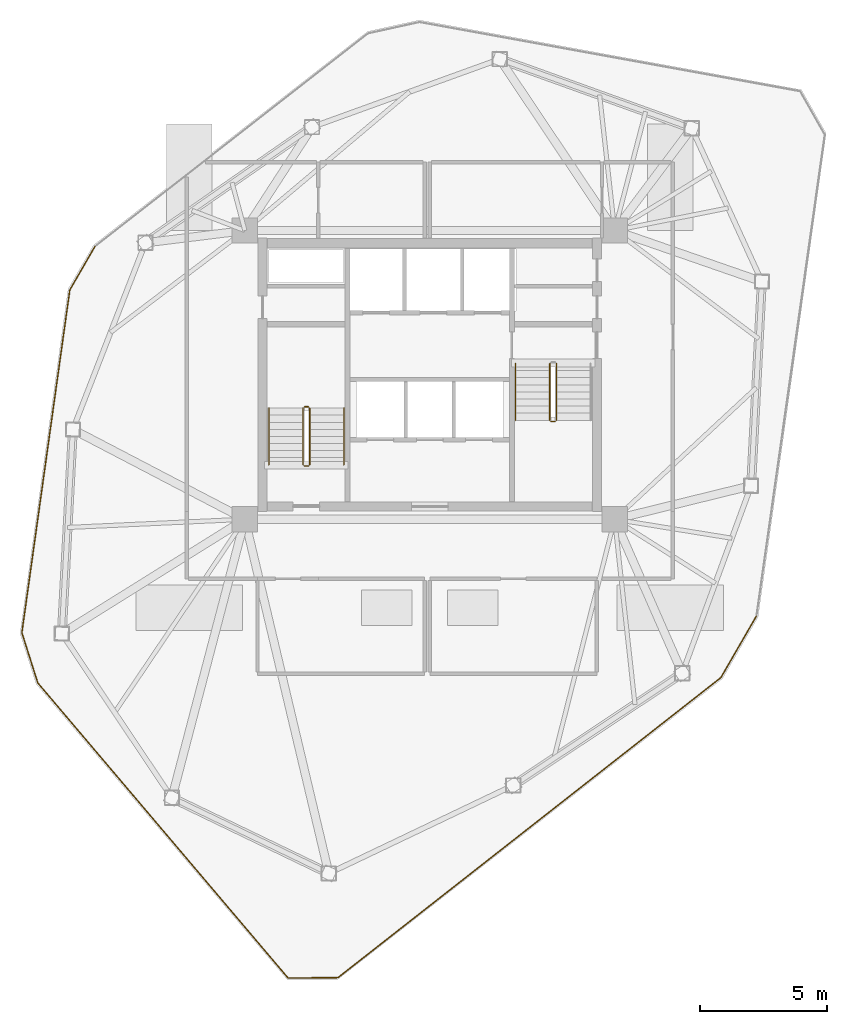
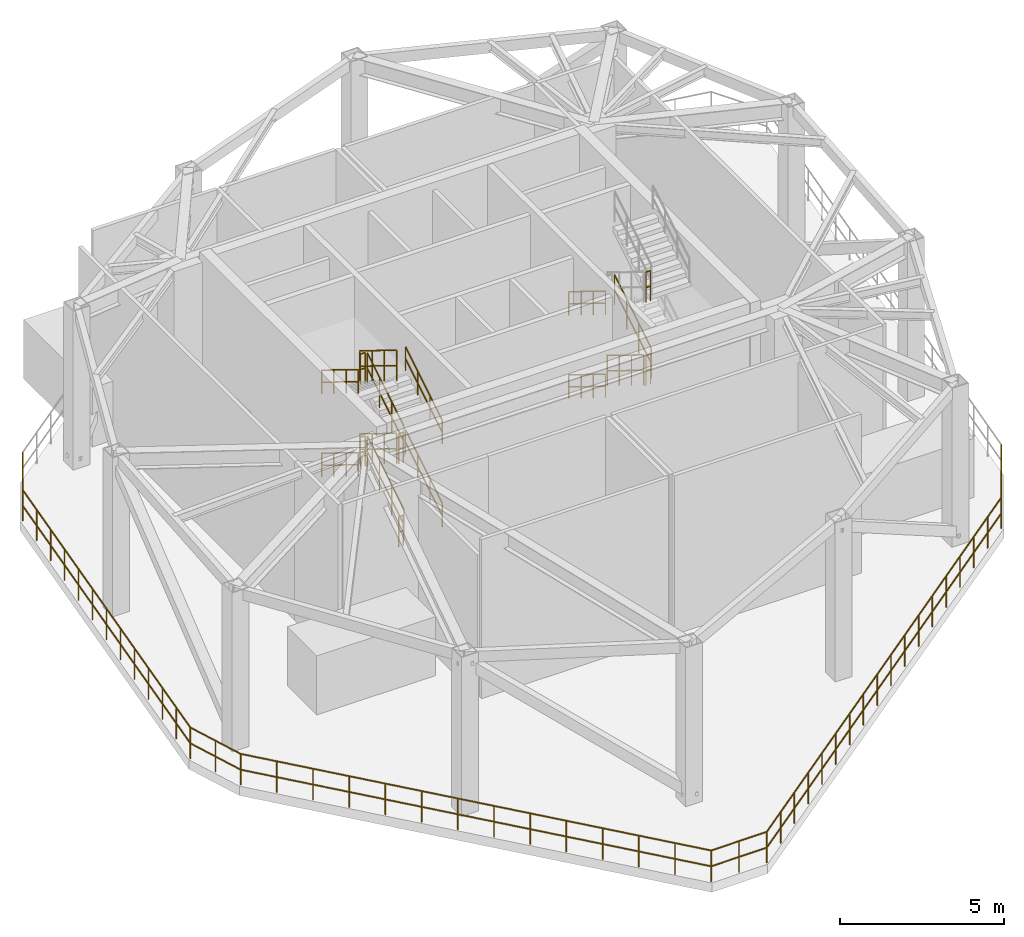
# One storey, part 5 of 7: 25 railings.
"""IFC4 building model written with IfcOpenShell, lengths in metres."""

from ifc_helpers import new_model, si_unit, direction, frame, origin, origin_2d, place, context, subcontext, project, spatial, circle, extrude, material, type_object, element, save


model = new_model("IFC4")

# Units and contexts
model_context = context("Model", 3, precision=1e-05, world=origin(), true_north=direction((0.0, 1.0)))
body_context = subcontext(model_context, "Body", "Model", "MODEL_VIEW")
ifc_project = project(units=[si_unit("LENGTHUNIT", "METRE"), si_unit("AREAUNIT", "SQUARE_METRE"), si_unit("VOLUMEUNIT", "CUBIC_METRE"), si_unit("PLANEANGLEUNIT", "RADIAN"), si_unit("MASSUNIT", "GRAM", prefix="KILO")], contexts=[model_context])

# Site, building, storey
site_placement = place(None, origin())
site = spatial("IfcSite", under=ifc_project, at=site_placement, CompositionType="ELEMENT")
building_placement = place(site_placement, origin())
building = spatial("IfcBuilding", under=site, at=building_placement, Name="Talar Marvaseh", CompositionType="ELEMENT")
storey_placement = place(building_placement, frame((0.0, 0.0, 202.0)))
storey = spatial("IfcBuildingStorey", under=building, at=storey_placement, Name="L53", CompositionType="ELEMENT", Elevation=202.0)

# Railings
ifc_material = material(Name="Stainless Steel Grade 316", Category="steel")
railing_type_1 = type_object("IfcRailingType", Name="Brushed Stainless Wall Pitch Handrail 900", PredefinedType="HANDRAIL", material=ifc_material)
railing_1_placement = place(storey_placement, frame((22.610107421875, 27.64990234375, 0.172119140625)))
element("IfcRailing", 1, at=railing_1_placement, inside=storey, type_object=railing_type_1, Name="L53 ST-1 stair handrail 1", PredefinedType="HANDRAIL", context=body_context, shape_type="SweptSolid", body=[
    extrude(circle(Radius=0.02392578125, at=origin_2d()), frame((0.0, 0.0, 0.8759765625), z_axis=(0.0, 0.851747552033, 0.523952390591), x_axis=(-1.0, 0.0, 0.0)), (0.0, 0.0, 1.0), 2.6298828125),
    extrude(circle(Radius=0.02392578125, at=origin_2d()), frame((0.0, 0.0, 0.42578125), z_axis=(0.0, 0.851747552033, 0.523952390591), x_axis=(-1.0, 0.0, 0.0)), (0.0, 0.0, 1.0), 2.6298828125),
    extrude(circle(Radius=0.02099609375, at=origin_2d()), origin(), (0.0, 0.0, 1.0), 0.851806640625),
    extrude(circle(Radius=0.02099609375, at=origin_2d()), frame((0.0, 0.74658203125, 0.459228515625)), (0.0, 0.0, 1.0), 0.851806640625),
    extrude(circle(Radius=0.02099609375, at=origin_2d()), frame((0.0, 1.493408203125, 0.918701171875)), (0.0, 0.0, 1.0), 0.851806640625),
    extrude(circle(Radius=0.02099609375, at=origin_2d()), frame((0.0, 2.239990234375, 1.3779296875)), (0.0, 0.0, 1.0), 0.851806640625),
])
railing_2_placement = place(storey_placement, frame((19.64990234375, 29.889892578125, 1.72216796875)))
element("IfcRailing", 2, at=railing_2_placement, inside=storey, type_object=railing_type_1, Name="L53 ST-1 stair handrail 2", PredefinedType="HANDRAIL", context=body_context, shape_type="SweptSolid", body=[
    extrude(circle(Radius=0.02392578125, at=origin_2d()), frame((0.0, 0.0, 0.8759765625), z_axis=(0.0, -0.851747552033, 0.523952390591), x_axis=(1.0, 0.0, 0.0)), (0.0, 0.0, 1.0), 2.6298828125),
    extrude(circle(Radius=0.02392578125, at=origin_2d()), frame((0.0, 0.0, 0.42578125), z_axis=(0.0, -0.851747552033, 0.523952390591), x_axis=(1.0, 0.0, 0.0)), (0.0, 0.0, 1.0), 2.6298828125),
    extrude(circle(Radius=0.02099609375, at=origin_2d()), origin(), (0.0, 0.0, 1.0), 0.851806640625),
    extrude(circle(Radius=0.02099609375, at=origin_2d()), frame((0.0, -0.74658203125, 0.459228515625)), (0.0, 0.0, 1.0), 0.851806640625),
    extrude(circle(Radius=0.02099609375, at=origin_2d()), frame((0.0, -1.493408203125, 0.918701171875)), (0.0, 0.0, 1.0), 0.851806640625),
    extrude(circle(Radius=0.02099609375, at=origin_2d()), frame((0.0, -2.239990234375, 1.3779296875)), (0.0, 0.0, 1.0), 0.851806640625),
])
railing_3_placement = place(storey_placement, frame((22.610107421875, 27.64990234375, 3.272216796875)))
element("IfcRailing", 3, at=railing_3_placement, inside=storey, type_object=railing_type_1, Name="L53 ST-1 stair handrail 3", PredefinedType="HANDRAIL", context=body_context, shape_type="SweptSolid", body=[
    extrude(circle(Radius=0.02392578125, at=origin_2d()), frame((0.0, 0.0, 0.8759765625), z_axis=(0.0, 0.85178898068, 0.523885037382), x_axis=(-1.0, 0.0, 0.0)), (0.0, 0.0, 1.0), 2.629638671875),
    extrude(circle(Radius=0.02392578125, at=origin_2d()), frame((0.0, 0.0, 0.42578125), z_axis=(0.0, 0.85178898068, 0.523885037382), x_axis=(-1.0, 0.0, 0.0)), (0.0, 0.0, 1.0), 2.629638671875),
    extrude(circle(Radius=0.02099609375, at=origin_2d()), origin(), (0.0, 0.0, 1.0), 0.851806640625),
    extrude(circle(Radius=0.02099609375, at=origin_2d()), frame((0.0, 0.74658203125, 0.459228515625)), (0.0, 0.0, 1.0), 0.851806640625),
    extrude(circle(Radius=0.02099609375, at=origin_2d()), frame((0.0, 1.493408203125, 0.91845703125)), (0.0, 0.0, 1.0), 0.851806640625),
    extrude(circle(Radius=0.02099609375, at=origin_2d()), frame((0.0, 2.239990234375, 1.377685546875)), (0.0, 0.0, 1.0), 0.851806640625),
])
railing_4_placement = place(storey_placement, frame((19.64990234375, 29.889892578125, 4.822265625)))
element("IfcRailing", 4, at=railing_4_placement, inside=storey, type_object=railing_type_1, Name="L53 ST-1 stair handrail 4", PredefinedType="HANDRAIL", context=body_context, shape_type="SweptSolid", body=[
    extrude(circle(Radius=0.02392578125, at=origin_2d()), frame((0.0, 0.0, 0.8759765625), z_axis=(0.0, -0.85178898068, 0.523885037382), x_axis=(1.0, 0.0, 0.0)), (0.0, 0.0, 1.0), 2.629638671875),
    extrude(circle(Radius=0.02392578125, at=origin_2d()), frame((0.0, 0.0, 0.42578125), z_axis=(0.0, -0.85178898068, 0.523885037382), x_axis=(1.0, 0.0, 0.0)), (0.0, 0.0, 1.0), 2.629638671875),
    extrude(circle(Radius=0.02099609375, at=origin_2d()), origin(), (0.0, 0.0, 1.0), 0.851806640625),
    extrude(circle(Radius=0.02099609375, at=origin_2d()), frame((0.0, -0.74658203125, 0.459228515625)), (0.0, 0.0, 1.0), 0.851806640625),
    extrude(circle(Radius=0.02099609375, at=origin_2d()), frame((0.0, -1.493408203125, 0.91845703125)), (0.0, 0.0, 1.0), 0.851806640625),
    extrude(circle(Radius=0.02099609375, at=origin_2d()), frame((0.0, -2.239990234375, 1.377685546875)), (0.0, 0.0, 1.0), 0.851806640625),
])
railing_5_placement = place(storey_placement, frame((29.389892578125, 31.64990234375, 0.172119140625)))
element("IfcRailing", 5, at=railing_5_placement, inside=storey, type_object=railing_type_1, Name="L53 ST-2 stair handrail 1", PredefinedType="HANDRAIL", context=body_context, shape_type="SweptSolid", body=[
    extrude(circle(Radius=0.02392578125, at=origin_2d()), frame((0.0, 0.0, 0.8759765625), z_axis=(0.0, -0.851747552033, 0.523952390591), x_axis=(1.0, 0.0, 0.0)), (0.0, 0.0, 1.0), 2.6298828125),
    extrude(circle(Radius=0.02392578125, at=origin_2d()), frame((0.0, 0.0, 0.42578125), z_axis=(0.0, -0.851747552033, 0.523952390591), x_axis=(1.0, 0.0, 0.0)), (0.0, 0.0, 1.0), 2.6298828125),
    extrude(circle(Radius=0.02099609375, at=origin_2d()), origin(), (0.0, 0.0, 1.0), 0.851806640625),
    extrude(circle(Radius=0.02099609375, at=origin_2d()), frame((0.0, -0.74658203125, 0.459228515625)), (0.0, 0.0, 1.0), 0.851806640625),
    extrude(circle(Radius=0.02099609375, at=origin_2d()), frame((0.0, -1.493408203125, 0.918701171875)), (0.0, 0.0, 1.0), 0.851806640625),
    extrude(circle(Radius=0.02099609375, at=origin_2d()), frame((0.0, -2.239990234375, 1.3779296875)), (0.0, 0.0, 1.0), 0.851806640625),
])
railing_6_placement = place(storey_placement, frame((29.389892578125, 31.64990234375, 3.272216796875)))
element("IfcRailing", 6, at=railing_6_placement, inside=storey, type_object=railing_type_1, Name="L53 ST-2 stair handrail 3", PredefinedType="HANDRAIL", context=body_context, shape_type="SweptSolid", body=[
    extrude(circle(Radius=0.02392578125, at=origin_2d()), frame((0.0, 0.0, 0.8759765625), z_axis=(0.0, -0.85178898068, 0.523885037382), x_axis=(1.0, 0.0, 0.0)), (0.0, 0.0, 1.0), 2.629638671875),
    extrude(circle(Radius=0.02392578125, at=origin_2d()), frame((0.0, 0.0, 0.42578125), z_axis=(0.0, -0.85178898068, 0.523885037382), x_axis=(1.0, 0.0, 0.0)), (0.0, 0.0, 1.0), 2.629638671875),
    extrude(circle(Radius=0.02099609375, at=origin_2d()), origin(), (0.0, 0.0, 1.0), 0.851806640625),
    extrude(circle(Radius=0.02099609375, at=origin_2d()), frame((0.0, -0.74658203125, 0.459228515625)), (0.0, 0.0, 1.0), 0.851806640625),
    extrude(circle(Radius=0.02099609375, at=origin_2d()), frame((0.0, -1.493408203125, 0.91845703125)), (0.0, 0.0, 1.0), 0.851806640625),
    extrude(circle(Radius=0.02099609375, at=origin_2d()), frame((0.0, -2.239990234375, 1.377685546875)), (0.0, 0.0, 1.0), 0.851806640625),
])
railing_type_2 = type_object("IfcRailingType", Name="Painted Steel Core Stair Well Guardrail 1150", PredefinedType="GUARDRAIL", material=ifc_material)
railing_7_placement = place(storey_placement, frame((21.260009765625, 27.64990234375, 0.172119140625)))
element("IfcRailing", 7, at=railing_7_placement, inside=storey, type_object=railing_type_2, Name="L53 ST-1 stair guard 1", PredefinedType="GUARDRAIL", context=body_context, shape_type="SweptSolid", body=[
    extrude(circle(Radius=0.02392578125, at=origin_2d()), frame((0.0, 0.0, 1.1259765625), z_axis=(0.0, 0.851747552033, 0.523952390591), x_axis=(-1.0, 0.0, 0.0)), (0.0, 0.0, 1.0), 2.6298828125),
    extrude(circle(Radius=0.02392578125, at=origin_2d()), frame((0.0, 0.0, 0.55078125), z_axis=(0.0, 0.851747552033, 0.523952390591), x_axis=(-1.0, 0.0, 0.0)), (0.0, 0.0, 1.0), 2.6298828125),
    extrude(circle(Radius=0.02099609375, at=origin_2d()), origin(), (0.0, 0.0, 1.0), 1.101806640625),
    extrude(circle(Radius=0.02099609375, at=origin_2d()), frame((0.0, 0.74658203125, 0.459228515625)), (0.0, 0.0, 1.0), 1.101806640625),
    extrude(circle(Radius=0.02099609375, at=origin_2d()), frame((0.0, 1.493408203125, 0.918701171875)), (0.0, 0.0, 1.0), 1.101806640625),
    extrude(circle(Radius=0.02099609375, at=origin_2d()), frame((0.0, 2.239990234375, 1.3779296875)), (0.0, 0.0, 1.0), 1.101806640625),
])
railing_8_placement = place(storey_placement, frame((21.2099609375, 29.93994140625, 1.550048828125)))
element("IfcRailing", 8, at=railing_8_placement, inside=storey, type_object=railing_type_2, Name="L53 ST-1 stair guard 2", PredefinedType="GUARDRAIL", context=body_context, shape_type="SweptSolid", body=[
    extrude(circle(Radius=0.02392578125, at=origin_2d()), frame((0.0, 0.0, 1.1259765625), z_axis=(-1.0, 0.0, 0.0), x_axis=(0.0, -1.0, 0.0)), (0.0, 0.0, 1.0), 0.159912109375),
    extrude(circle(Radius=0.02392578125, at=origin_2d()), frame((0.0, 0.0, 0.55078125), z_axis=(-1.0, 0.0, 0.0), x_axis=(0.0, -1.0, 0.0)), (0.0, 0.0, 1.0), 0.159912109375),
    extrude(circle(Radius=0.02099609375, at=origin_2d()), origin(), (0.0, 0.0, 1.0), 1.101806640625),
    extrude(circle(Radius=0.02099609375, at=origin_2d()), frame((-0.159912109375, 0.0, 0.0)), (0.0, 0.0, 1.0), 1.101806640625),
])
railing_9_placement = place(storey_placement, frame((21.0, 29.889892578125, 1.72216796875)))
element("IfcRailing", 9, at=railing_9_placement, inside=storey, type_object=railing_type_2, Name="L53 ST-1 stair guard 3", PredefinedType="GUARDRAIL", context=body_context, shape_type="SweptSolid", body=[
    extrude(circle(Radius=0.02392578125, at=origin_2d()), frame((0.0, 0.0, 1.1259765625), z_axis=(0.0, -0.851747552033, 0.523952390591), x_axis=(1.0, 0.0, 0.0)), (0.0, 0.0, 1.0), 2.6298828125),
    extrude(circle(Radius=0.02392578125, at=origin_2d()), frame((0.0, 0.0, 0.55078125), z_axis=(0.0, -0.851747552033, 0.523952390591), x_axis=(1.0, 0.0, 0.0)), (0.0, 0.0, 1.0), 2.6298828125),
    extrude(circle(Radius=0.02099609375, at=origin_2d()), origin(), (0.0, 0.0, 1.0), 1.101806640625),
    extrude(circle(Radius=0.02099609375, at=origin_2d()), frame((0.0, -0.74658203125, 0.459228515625)), (0.0, 0.0, 1.0), 1.101806640625),
    extrude(circle(Radius=0.02099609375, at=origin_2d()), frame((0.0, -1.493408203125, 0.918701171875)), (0.0, 0.0, 1.0), 1.101806640625),
    extrude(circle(Radius=0.02099609375, at=origin_2d()), frame((0.0, -2.239990234375, 1.3779296875)), (0.0, 0.0, 1.0), 1.101806640625),
])
railing_10_placement = place(storey_placement, frame((21.2099609375, 27.60009765625, 3.10009765625)))
element("IfcRailing", 10, at=railing_10_placement, inside=storey, type_object=railing_type_2, Name="L53 ST-1 stair guard 4", PredefinedType="GUARDRAIL", context=body_context, shape_type="SweptSolid", body=[
    extrude(circle(Radius=0.02392578125, at=origin_2d()), frame((0.0, 0.0, 1.1259765625), z_axis=(-1.0, 0.0, 0.0), x_axis=(0.0, -1.0, 0.0)), (0.0, 0.0, 1.0), 0.159912109375),
    extrude(circle(Radius=0.02392578125, at=origin_2d()), frame((0.0, 0.0, 0.55078125), z_axis=(-1.0, 0.0, 0.0), x_axis=(0.0, -1.0, 0.0)), (0.0, 0.0, 1.0), 0.159912109375),
    extrude(circle(Radius=0.02099609375, at=origin_2d()), origin(), (0.0, 0.0, 1.0), 1.101806640625),
    extrude(circle(Radius=0.02099609375, at=origin_2d()), frame((-0.159912109375, 0.0, 0.0)), (0.0, 0.0, 1.0), 1.101806640625),
])
railing_11_placement = place(storey_placement, frame((21.260009765625, 27.64990234375, 3.272216796875)))
element("IfcRailing", 11, at=railing_11_placement, inside=storey, type_object=railing_type_2, Name="L53 ST-1 stair guard 5", PredefinedType="GUARDRAIL", context=body_context, shape_type="SweptSolid", body=[
    extrude(circle(Radius=0.02392578125, at=origin_2d()), frame((0.0, 0.0, 1.1259765625), z_axis=(0.0, 0.85178898068, 0.523885037382), x_axis=(-1.0, 0.0, 0.0)), (0.0, 0.0, 1.0), 2.629638671875),
    extrude(circle(Radius=0.02392578125, at=origin_2d()), frame((0.0, 0.0, 0.55078125), z_axis=(0.0, 0.85178898068, 0.523885037382), x_axis=(-1.0, 0.0, 0.0)), (0.0, 0.0, 1.0), 2.629638671875),
    extrude(circle(Radius=0.02099609375, at=origin_2d()), origin(), (0.0, 0.0, 1.0), 1.101806640625),
    extrude(circle(Radius=0.02099609375, at=origin_2d()), frame((0.0, 0.74658203125, 0.459228515625)), (0.0, 0.0, 1.0), 1.101806640625),
    extrude(circle(Radius=0.02099609375, at=origin_2d()), frame((0.0, 1.493408203125, 0.91845703125)), (0.0, 0.0, 1.0), 1.101806640625),
    extrude(circle(Radius=0.02099609375, at=origin_2d()), frame((0.0, 2.239990234375, 1.377685546875)), (0.0, 0.0, 1.0), 1.101806640625),
])
railing_12_placement = place(storey_placement, frame((21.2099609375, 29.93994140625, 4.64990234375)))
element("IfcRailing", 12, at=railing_12_placement, inside=storey, type_object=railing_type_2, Name="L53 ST-1 stair guard 6", PredefinedType="GUARDRAIL", context=body_context, shape_type="SweptSolid", body=[
    extrude(circle(Radius=0.02392578125, at=origin_2d()), frame((0.0, 0.0, 1.1259765625), z_axis=(-1.0, 0.0, 0.0), x_axis=(0.0, -1.0, 0.0)), (0.0, 0.0, 1.0), 0.159912109375),
    extrude(circle(Radius=0.02392578125, at=origin_2d()), frame((0.0, 0.0, 0.55078125), z_axis=(-1.0, 0.0, 0.0), x_axis=(0.0, -1.0, 0.0)), (0.0, 0.0, 1.0), 0.159912109375),
    extrude(circle(Radius=0.02099609375, at=origin_2d()), origin(), (0.0, 0.0, 1.0), 1.101806640625),
    extrude(circle(Radius=0.02099609375, at=origin_2d()), frame((-0.159912109375, 0.0, 0.0)), (0.0, 0.0, 1.0), 1.101806640625),
])
railing_13_placement = place(storey_placement, frame((21.0, 29.889892578125, 4.822265625)))
element("IfcRailing", 13, at=railing_13_placement, inside=storey, type_object=railing_type_2, Name="L53 ST-1 stair guard 7", PredefinedType="GUARDRAIL", context=body_context, shape_type="SweptSolid", body=[
    extrude(circle(Radius=0.02392578125, at=origin_2d()), frame((0.0, 0.0, 1.1259765625), z_axis=(0.0, -0.85178898068, 0.523885037382), x_axis=(1.0, 0.0, 0.0)), (0.0, 0.0, 1.0), 2.629638671875),
    extrude(circle(Radius=0.02392578125, at=origin_2d()), frame((0.0, 0.0, 0.55078125), z_axis=(0.0, -0.85178898068, 0.523885037382), x_axis=(1.0, 0.0, 0.0)), (0.0, 0.0, 1.0), 2.629638671875),
    extrude(circle(Radius=0.02099609375, at=origin_2d()), origin(), (0.0, 0.0, 1.0), 1.101806640625),
    extrude(circle(Radius=0.02099609375, at=origin_2d()), frame((0.0, -0.74658203125, 0.459228515625)), (0.0, 0.0, 1.0), 1.101806640625),
    extrude(circle(Radius=0.02099609375, at=origin_2d()), frame((0.0, -1.493408203125, 0.91845703125)), (0.0, 0.0, 1.0), 1.101806640625),
    extrude(circle(Radius=0.02099609375, at=origin_2d()), frame((0.0, -2.239990234375, 1.377685546875)), (0.0, 0.0, 1.0), 1.101806640625),
])
railing_14_placement = place(storey_placement, frame((21.2099609375, 27.60009765625, 0.0)))
element("IfcRailing", 14, at=railing_14_placement, inside=storey, type_object=railing_type_2, Name="L53 ST-1 stair guard 8", PredefinedType="GUARDRAIL", context=body_context, shape_type="SweptSolid", body=[
    extrude(circle(Radius=0.02392578125, at=origin_2d()), frame((0.0, 0.0, 1.1259765625), z_axis=(-1.0, 0.0, 0.0), x_axis=(0.0, -1.0, 0.0)), (0.0, 0.0, 1.0), 0.159912109375),
    extrude(circle(Radius=0.02392578125, at=origin_2d()), frame((0.0, 0.0, 0.55078125), z_axis=(-1.0, 0.0, 0.0), x_axis=(0.0, -1.0, 0.0)), (0.0, 0.0, 1.0), 0.159912109375),
    extrude(circle(Radius=0.02099609375, at=origin_2d()), origin(), (0.0, 0.0, 1.0), 1.101806640625),
    extrude(circle(Radius=0.02099609375, at=origin_2d()), frame((-0.159912109375, 0.0, 0.0)), (0.0, 0.0, 1.0), 1.101806640625),
])
railing_15_placement = place(storey_placement, frame((30.739990234375, 31.64990234375, 0.172119140625)))
element("IfcRailing", 15, at=railing_15_placement, inside=storey, type_object=railing_type_2, Name="L53 ST-2 stair guard 1", PredefinedType="GUARDRAIL", context=body_context, shape_type="SweptSolid", body=[
    extrude(circle(Radius=0.02392578125, at=origin_2d()), frame((0.0, 0.0, 1.1259765625), z_axis=(0.0, -0.851747552033, 0.523952390591), x_axis=(1.0, 0.0, 0.0)), (0.0, 0.0, 1.0), 2.6298828125),
    extrude(circle(Radius=0.02392578125, at=origin_2d()), frame((0.0, 0.0, 0.55078125), z_axis=(0.0, -0.851747552033, 0.523952390591), x_axis=(1.0, 0.0, 0.0)), (0.0, 0.0, 1.0), 2.6298828125),
    extrude(circle(Radius=0.02099609375, at=origin_2d()), origin(), (0.0, 0.0, 1.0), 1.101806640625),
    extrude(circle(Radius=0.02099609375, at=origin_2d()), frame((0.0, -0.74658203125, 0.459228515625)), (0.0, 0.0, 1.0), 1.101806640625),
    extrude(circle(Radius=0.02099609375, at=origin_2d()), frame((0.0, -1.493408203125, 0.918701171875)), (0.0, 0.0, 1.0), 1.101806640625),
    extrude(circle(Radius=0.02099609375, at=origin_2d()), frame((0.0, -2.239990234375, 1.3779296875)), (0.0, 0.0, 1.0), 1.101806640625),
])
railing_16_placement = place(storey_placement, frame((30.7900390625, 29.360107421875, 1.550048828125)))
element("IfcRailing", 16, at=railing_16_placement, inside=storey, type_object=railing_type_2, Name="L53 ST-2 stair guard 2", PredefinedType="GUARDRAIL", context=body_context, shape_type="SweptSolid", body=[
    extrude(circle(Radius=0.02392578125, at=origin_2d()), frame((0.0, 0.0, 1.1259765625), z_axis=(1.0, 0.0, 0.0), x_axis=(0.0, 1.0, 0.0)), (0.0, 0.0, 1.0), 0.159912109375),
    extrude(circle(Radius=0.02392578125, at=origin_2d()), frame((0.0, 0.0, 0.55078125), z_axis=(1.0, 0.0, 0.0), x_axis=(0.0, 1.0, 0.0)), (0.0, 0.0, 1.0), 0.159912109375),
    extrude(circle(Radius=0.02099609375, at=origin_2d()), origin(), (0.0, 0.0, 1.0), 1.101806640625),
    extrude(circle(Radius=0.02099609375, at=origin_2d()), frame((0.159912109375, 0.0, 0.0)), (0.0, 0.0, 1.0), 1.101806640625),
])
railing_17_placement = place(storey_placement, frame((31.0, 29.409912109375, 1.72216796875)))
element("IfcRailing", 17, at=railing_17_placement, inside=storey, type_object=railing_type_2, Name="L53 ST-2 stair guard 3", PredefinedType="GUARDRAIL", context=body_context, shape_type="SweptSolid", body=[
    extrude(circle(Radius=0.02392578125, at=origin_2d()), frame((0.0, 0.0, 1.1259765625), z_axis=(0.0, 0.851747552033, 0.523952390591), x_axis=(-1.0, 0.0, 0.0)), (0.0, 0.0, 1.0), 2.6298828125),
    extrude(circle(Radius=0.02392578125, at=origin_2d()), frame((0.0, 0.0, 0.55078125), z_axis=(0.0, 0.851747552033, 0.523952390591), x_axis=(-1.0, 0.0, 0.0)), (0.0, 0.0, 1.0), 2.6298828125),
    extrude(circle(Radius=0.02099609375, at=origin_2d()), origin(), (0.0, 0.0, 1.0), 1.101806640625),
    extrude(circle(Radius=0.02099609375, at=origin_2d()), frame((0.0, 0.74658203125, 0.459228515625)), (0.0, 0.0, 1.0), 1.101806640625),
    extrude(circle(Radius=0.02099609375, at=origin_2d()), frame((0.0, 1.493408203125, 0.918701171875)), (0.0, 0.0, 1.0), 1.101806640625),
    extrude(circle(Radius=0.02099609375, at=origin_2d()), frame((0.0, 2.239990234375, 1.3779296875)), (0.0, 0.0, 1.0), 1.101806640625),
])
railing_18_placement = place(storey_placement, frame((30.7900390625, 29.360107421875, 4.64990234375)))
element("IfcRailing", 18, at=railing_18_placement, inside=storey, type_object=railing_type_2, Name="L53 ST-2 stair guard 6", PredefinedType="GUARDRAIL", context=body_context, shape_type="SweptSolid", body=[
    extrude(circle(Radius=0.02392578125, at=origin_2d()), frame((0.0, 0.0, 1.1259765625), z_axis=(1.0, 0.0, 0.0), x_axis=(0.0, 1.0, 0.0)), (0.0, 0.0, 1.0), 0.159912109375),
    extrude(circle(Radius=0.02392578125, at=origin_2d()), frame((0.0, 0.0, 0.55078125), z_axis=(1.0, 0.0, 0.0), x_axis=(0.0, 1.0, 0.0)), (0.0, 0.0, 1.0), 0.159912109375),
    extrude(circle(Radius=0.02099609375, at=origin_2d()), origin(), (0.0, 0.0, 1.0), 1.101806640625),
    extrude(circle(Radius=0.02099609375, at=origin_2d()), frame((0.159912109375, 0.0, 0.0)), (0.0, 0.0, 1.0), 1.101806640625),
])
railing_type_3 = type_object("IfcRailingType", Name="Wind Portal Perimeter Safety Guardrail 1180", PredefinedType="GUARDRAIL", material=ifc_material)
railing_19_placement = place(storey_placement, frame((22.376220703125, 7.402099609375, 0.0)))
element("IfcRailing", 19, at=railing_19_placement, inside=storey, type_object=railing_type_3, Name="L53 Wind Portal Perimeter Guardrail 1", PredefinedType="GUARDRAIL", context=body_context, shape_type="SweptSolid", body=[
    extrude(circle(Radius=0.02392578125, at=origin_2d()), frame((0.0, 0.0, 1.15576171875), z_axis=(-0.999966566534, -0.00817715195, 0.0), x_axis=(0.00817715195, -0.999966566534, 0.0)), (0.0, 0.0, 1.0), 1.970458984375),
    extrude(circle(Radius=0.02392578125, at=origin_2d()), frame((0.0, 0.0, 0.56591796875), z_axis=(-0.999966566534, -0.00817715195, 0.0), x_axis=(0.00817715195, -0.999966566534, 0.0)), (0.0, 0.0, 1.0), 1.970458984375),
    extrude(circle(Radius=0.02099609375, at=origin_2d()), origin(), (0.0, 0.0, 1.0), 1.1318359375),
    extrude(circle(Radius=0.02099609375, at=origin_2d()), frame((-0.9853515625, -0.008056640625, 0.0)), (0.0, 0.0, 1.0), 1.1318359375),
    extrude(circle(Radius=0.02099609375, at=origin_2d()), frame((-1.970458984375, -0.01611328125, 0.0)), (0.0, 0.0, 1.0), 1.1318359375),
])
railing_20_placement = place(storey_placement, frame((20.40576171875, 7.385986328125, 0.0)))
element("IfcRailing", 20, at=railing_20_placement, inside=storey, type_object=railing_type_3, Name="L53 Wind Portal Perimeter Guardrail 2", PredefinedType="GUARDRAIL", context=body_context, shape_type="SweptSolid", body=[
    extrude(circle(Radius=0.02392578125, at=origin_2d()), frame((0.0, 0.0, 1.15576171875), z_axis=(-0.646802872258, 0.762657226045, 0.0), x_axis=(-0.762657226045, -0.646802872258, 0.0)), (0.0, 0.0, 1.0), 15.278076171875),
    extrude(circle(Radius=0.02392578125, at=origin_2d()), frame((0.0, 0.0, 0.56591796875), z_axis=(-0.646802872258, 0.762657226045, 0.0), x_axis=(-0.762657226045, -0.646802872258, 0.0)), (0.0, 0.0, 1.0), 15.278076171875),
    extrude(circle(Radius=0.02099609375, at=origin_2d()), origin(), (0.0, 0.0, 1.0), 1.1318359375),
    extrude(circle(Radius=0.02099609375, at=origin_2d()), frame((-0.76025390625, 0.896240234375, 0.0)), (0.0, 0.0, 1.0), 1.1318359375),
    extrude(circle(Radius=0.02099609375, at=origin_2d()), frame((-1.520263671875, 1.79248046875, 0.0)), (0.0, 0.0, 1.0), 1.1318359375),
    extrude(circle(Radius=0.02099609375, at=origin_2d()), frame((-2.280517578125, 2.68896484375, 0.0)), (0.0, 0.0, 1.0), 1.1318359375),
    extrude(circle(Radius=0.02099609375, at=origin_2d()), frame((-3.04052734375, 3.585205078125, 0.0)), (0.0, 0.0, 1.0), 1.1318359375),
    extrude(circle(Radius=0.02099609375, at=origin_2d()), frame((-3.80078125, 4.4814453125, 0.0)), (0.0, 0.0, 1.0), 1.1318359375),
    extrude(circle(Radius=0.02099609375, at=origin_2d()), frame((-4.560791015625, 5.377685546875, 0.0)), (0.0, 0.0, 1.0), 1.1318359375),
    extrude(circle(Radius=0.02099609375, at=origin_2d()), frame((-5.321044921875, 6.274169921875, 0.0)), (0.0, 0.0, 1.0), 1.1318359375),
    extrude(circle(Radius=0.02099609375, at=origin_2d()), frame((-6.0810546875, 7.17041015625, 0.0)), (0.0, 0.0, 1.0), 1.1318359375),
    extrude(circle(Radius=0.02099609375, at=origin_2d()), frame((-6.84130859375, 8.066650390625, 0.0)), (0.0, 0.0, 1.0), 1.1318359375),
    extrude(circle(Radius=0.02099609375, at=origin_2d()), frame((-7.601318359375, 8.962890625, 0.0)), (0.0, 0.0, 1.0), 1.1318359375),
    extrude(circle(Radius=0.02099609375, at=origin_2d()), frame((-8.361572265625, 9.859375, 0.0)), (0.0, 0.0, 1.0), 1.1318359375),
    extrude(circle(Radius=0.02099609375, at=origin_2d()), frame((-9.12158203125, 10.755615234375, 0.0)), (0.0, 0.0, 1.0), 1.1318359375),
    extrude(circle(Radius=0.02099609375, at=origin_2d()), frame((-9.8818359375, 11.65185546875, 0.0)), (0.0, 0.0, 1.0), 1.1318359375),
])
railing_21_placement = place(storey_placement, frame((10.52392578125, 19.037841796875, 0.0)))
element("IfcRailing", 21, at=railing_21_placement, inside=storey, type_object=railing_type_3, Name="L53 Wind Portal Perimeter Guardrail 3", PredefinedType="GUARDRAIL", context=body_context, shape_type="SweptSolid", body=[
    extrude(circle(Radius=0.02392578125, at=origin_2d()), frame((0.0, 0.0, 1.15576171875), z_axis=(-0.302243860734, 0.953230637699, 0.0), x_axis=(-0.953230637699, -0.302243860734, 0.0)), (0.0, 0.0, 1.0), 2.0791015625),
    extrude(circle(Radius=0.02392578125, at=origin_2d()), frame((0.0, 0.0, 0.56591796875), z_axis=(-0.302243860734, 0.953230637699, 0.0), x_axis=(-0.953230637699, -0.302243860734, 0.0)), (0.0, 0.0, 1.0), 2.0791015625),
    extrude(circle(Radius=0.02099609375, at=origin_2d()), origin(), (0.0, 0.0, 1.0), 1.1318359375),
    extrude(circle(Radius=0.02099609375, at=origin_2d()), frame((-0.314208984375, 0.990966796875, 0.0)), (0.0, 0.0, 1.0), 1.1318359375),
    extrude(circle(Radius=0.02099609375, at=origin_2d()), frame((-0.62841796875, 1.98193359375, 0.0)), (0.0, 0.0, 1.0), 1.1318359375),
])
railing_22_placement = place(storey_placement, frame((9.8955078125, 21.019775390625, 0.0)))
element("IfcRailing", 22, at=railing_22_placement, inside=storey, type_object=railing_type_3, Name="L53 Wind Portal Perimeter Guardrail 4", PredefinedType="GUARDRAIL", context=body_context, shape_type="SweptSolid", body=[
    extrude(circle(Radius=0.02392578125, at=origin_2d()), frame((0.0, 0.0, 1.15576171875), z_axis=(0.13848209731, 0.990364937144, 0.0), x_axis=(-0.990364937144, 0.13848209731, 0.0)), (0.0, 0.0, 1.0), 13.66650390625),
    extrude(circle(Radius=0.02392578125, at=origin_2d()), frame((0.0, 0.0, 0.56591796875), z_axis=(0.13848209731, 0.990364937144, 0.0), x_axis=(-0.990364937144, 0.13848209731, 0.0)), (0.0, 0.0, 1.0), 13.66650390625),
    extrude(circle(Radius=0.02099609375, at=origin_2d()), origin(), (0.0, 0.0, 1.0), 1.1318359375),
    extrude(circle(Radius=0.02099609375, at=origin_2d()), frame((0.15771484375, 1.1279296875, 0.0)), (0.0, 0.0, 1.0), 1.1318359375),
    extrude(circle(Radius=0.02099609375, at=origin_2d()), frame((0.3154296875, 2.255859375, 0.0)), (0.0, 0.0, 1.0), 1.1318359375),
    extrude(circle(Radius=0.02099609375, at=origin_2d()), frame((0.47314453125, 3.3837890625, 0.0)), (0.0, 0.0, 1.0), 1.1318359375),
    extrude(circle(Radius=0.02099609375, at=origin_2d()), frame((0.630859375, 4.51171875, 0.0)), (0.0, 0.0, 1.0), 1.1318359375),
    extrude(circle(Radius=0.02099609375, at=origin_2d()), frame((0.78857421875, 5.6396484375, 0.0)), (0.0, 0.0, 1.0), 1.1318359375),
    extrude(circle(Radius=0.02099609375, at=origin_2d()), frame((0.9462890625, 6.767578125, 0.0)), (0.0, 0.0, 1.0), 1.1318359375),
    extrude(circle(Radius=0.02099609375, at=origin_2d()), frame((1.10400390625, 7.895263671875, 0.0)), (0.0, 0.0, 1.0), 1.1318359375),
    extrude(circle(Radius=0.02099609375, at=origin_2d()), frame((1.26171875, 9.023193359375, 0.0)), (0.0, 0.0, 1.0), 1.1318359375),
    extrude(circle(Radius=0.02099609375, at=origin_2d()), frame((1.41943359375, 10.151123046875, 0.0)), (0.0, 0.0, 1.0), 1.1318359375),
    extrude(circle(Radius=0.02099609375, at=origin_2d()), frame((1.5771484375, 11.279052734375, 0.0)), (0.0, 0.0, 1.0), 1.1318359375),
    extrude(circle(Radius=0.02099609375, at=origin_2d()), frame((1.73486328125, 12.406982421875, 0.0)), (0.0, 0.0, 1.0), 1.1318359375),
    extrude(circle(Radius=0.02099609375, at=origin_2d()), frame((1.892578125, 13.534912109375, 0.0)), (0.0, 0.0, 1.0), 1.1318359375),
])
railing_23_placement = place(storey_placement, frame((11.7880859375, 34.5546875, 0.0)))
element("IfcRailing", 23, at=railing_23_placement, inside=storey, type_object=railing_type_3, Name="L53 Wind Portal Perimeter Guardrail 5", PredefinedType="GUARDRAIL", context=body_context, shape_type="SweptSolid", body=[
    extrude(circle(Radius=0.02392578125, at=origin_2d()), frame((0.0, 0.0, 1.15576171875), z_axis=(0.499973440324, 0.866040737478, 0.0), x_axis=(-0.866040737478, 0.499973440324, 0.0)), (0.0, 0.0, 1.0), 1.99267578125),
    extrude(circle(Radius=0.02392578125, at=origin_2d()), frame((0.0, 0.0, 0.56591796875), z_axis=(0.499973440324, 0.866040737478, 0.0), x_axis=(-0.866040737478, 0.499973440324, 0.0)), (0.0, 0.0, 1.0), 1.99267578125),
    extrude(circle(Radius=0.02099609375, at=origin_2d()), origin(), (0.0, 0.0, 1.0), 1.1318359375),
    extrude(circle(Radius=0.02099609375, at=origin_2d()), frame((0.498046875, 0.86279296875, 0.0)), (0.0, 0.0, 1.0), 1.1318359375),
    extrude(circle(Radius=0.02099609375, at=origin_2d()), frame((0.996337890625, 1.725830078125, 0.0)), (0.0, 0.0, 1.0), 1.1318359375),
])
railing_24_placement = place(storey_placement, frame((38.894287109375, 21.671875, 0.0)))
element("IfcRailing", 24, at=railing_24_placement, inside=storey, type_object=railing_type_3, Name="L53 Wind Portal Perimeter Guardrail 11", PredefinedType="GUARDRAIL", context=body_context, shape_type="SweptSolid", body=[
    extrude(circle(Radius=0.02392578125, at=origin_2d()), frame((0.0, 0.0, 1.15576171875), z_axis=(-0.500059638837, -0.865990968548, 0.0), x_axis=(0.865990968548, -0.500059638837, 0.0)), (0.0, 0.0, 1.0), 2.799560546875),
    extrude(circle(Radius=0.02392578125, at=origin_2d()), frame((0.0, 0.0, 0.56591796875), z_axis=(-0.500059638837, -0.865990968548, 0.0), x_axis=(0.865990968548, -0.500059638837, 0.0)), (0.0, 0.0, 1.0), 2.799560546875),
    extrude(circle(Radius=0.02099609375, at=origin_2d()), origin(), (0.0, 0.0, 1.0), 1.1318359375),
    extrude(circle(Radius=0.02099609375, at=origin_2d()), frame((-0.466552734375, -0.80810546875, 0.0)), (0.0, 0.0, 1.0), 1.1318359375),
    extrude(circle(Radius=0.02099609375, at=origin_2d()), frame((-0.933349609375, -1.6162109375, 0.0)), (0.0, 0.0, 1.0), 1.1318359375),
    extrude(circle(Radius=0.02099609375, at=origin_2d()), frame((-1.39990234375, -2.42431640625, 0.0)), (0.0, 0.0, 1.0), 1.1318359375),
])
railing_25_placement = place(storey_placement, frame((37.494384765625, 19.24755859375, 0.0)))
element("IfcRailing", 25, at=railing_25_placement, inside=storey, type_object=railing_type_3, Name="L53 Wind Portal Perimeter Guardrail 12", PredefinedType="GUARDRAIL", context=body_context, shape_type="SweptSolid", body=[
    extrude(circle(Radius=0.02392578125, at=origin_2d()), frame((0.0, 0.0, 1.15576171875), z_axis=(-0.787154819901, -0.616755453569, 0.0), x_axis=(0.616755453569, -0.787154819901, 0.0)), (0.0, 0.0, 1.0), 19.2060546875),
    extrude(circle(Radius=0.02392578125, at=origin_2d()), frame((0.0, 0.0, 0.56591796875), z_axis=(-0.787154819901, -0.616755453569, 0.0), x_axis=(0.616755453569, -0.787154819901, 0.0)), (0.0, 0.0, 1.0), 19.2060546875),
    extrude(circle(Radius=0.02099609375, at=origin_2d()), origin(), (0.0, 0.0, 1.0), 1.1318359375),
    extrude(circle(Radius=0.02099609375, at=origin_2d()), frame((-0.889404296875, -0.69677734375, 0.0)), (0.0, 0.0, 1.0), 1.1318359375),
    extrude(circle(Radius=0.02099609375, at=origin_2d()), frame((-1.778564453125, -1.3935546875, 0.0)), (0.0, 0.0, 1.0), 1.1318359375),
    extrude(circle(Radius=0.02099609375, at=origin_2d()), frame((-2.66796875, -2.09033203125, 0.0)), (0.0, 0.0, 1.0), 1.1318359375),
    extrude(circle(Radius=0.02099609375, at=origin_2d()), frame((-3.55712890625, -2.787109375, 0.0)), (0.0, 0.0, 1.0), 1.1318359375),
    extrude(circle(Radius=0.02099609375, at=origin_2d()), frame((-4.446533203125, -3.48388671875, 0.0)), (0.0, 0.0, 1.0), 1.1318359375),
    extrude(circle(Radius=0.02099609375, at=origin_2d()), frame((-5.3359375, -4.1806640625, 0.0)), (0.0, 0.0, 1.0), 1.1318359375),
    extrude(circle(Radius=0.02099609375, at=origin_2d()), frame((-6.22509765625, -4.87744140625, 0.0)), (0.0, 0.0, 1.0), 1.1318359375),
    extrude(circle(Radius=0.02099609375, at=origin_2d()), frame((-7.114501953125, -5.57421875, 0.0)), (0.0, 0.0, 1.0), 1.1318359375),
    extrude(circle(Radius=0.02099609375, at=origin_2d()), frame((-8.003662109375, -6.271240234375, 0.0)), (0.0, 0.0, 1.0), 1.1318359375),
    extrude(circle(Radius=0.02099609375, at=origin_2d()), frame((-8.89306640625, -6.968017578125, 0.0)), (0.0, 0.0, 1.0), 1.1318359375),
    extrude(circle(Radius=0.02099609375, at=origin_2d()), frame((-9.7822265625, -7.664794921875, 0.0)), (0.0, 0.0, 1.0), 1.1318359375),
    extrude(circle(Radius=0.02099609375, at=origin_2d()), frame((-10.671630859375, -8.361572265625, 0.0)), (0.0, 0.0, 1.0), 1.1318359375),
    extrude(circle(Radius=0.02099609375, at=origin_2d()), frame((-11.56103515625, -9.058349609375, 0.0)), (0.0, 0.0, 1.0), 1.1318359375),
    extrude(circle(Radius=0.02099609375, at=origin_2d()), frame((-12.4501953125, -9.755126953125, 0.0)), (0.0, 0.0, 1.0), 1.1318359375),
    extrude(circle(Radius=0.02099609375, at=origin_2d()), frame((-13.339599609375, -10.451904296875, 0.0)), (0.0, 0.0, 1.0), 1.1318359375),
    extrude(circle(Radius=0.02099609375, at=origin_2d()), frame((-14.228759765625, -11.148681640625, 0.0)), (0.0, 0.0, 1.0), 1.1318359375),
    extrude(circle(Radius=0.02099609375, at=origin_2d()), frame((-15.1181640625, -11.845458984375, 0.0)), (0.0, 0.0, 1.0), 1.1318359375),
])

save(model, "model.ifc")
